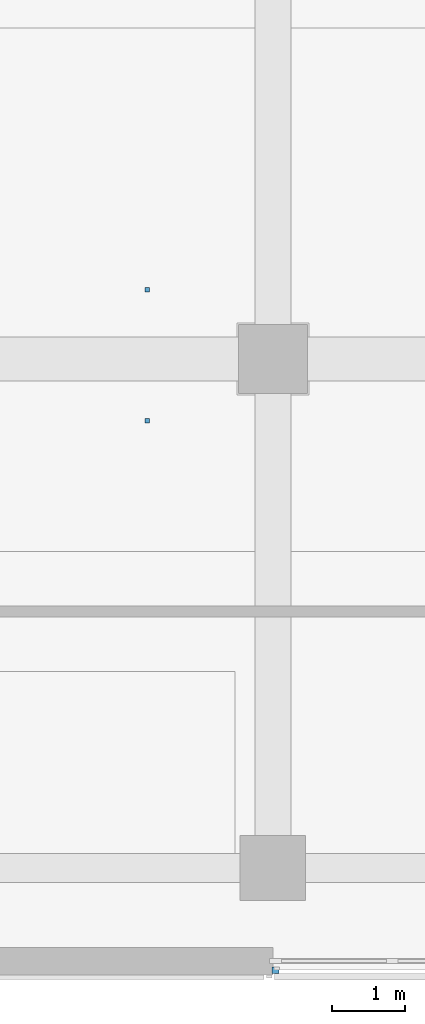
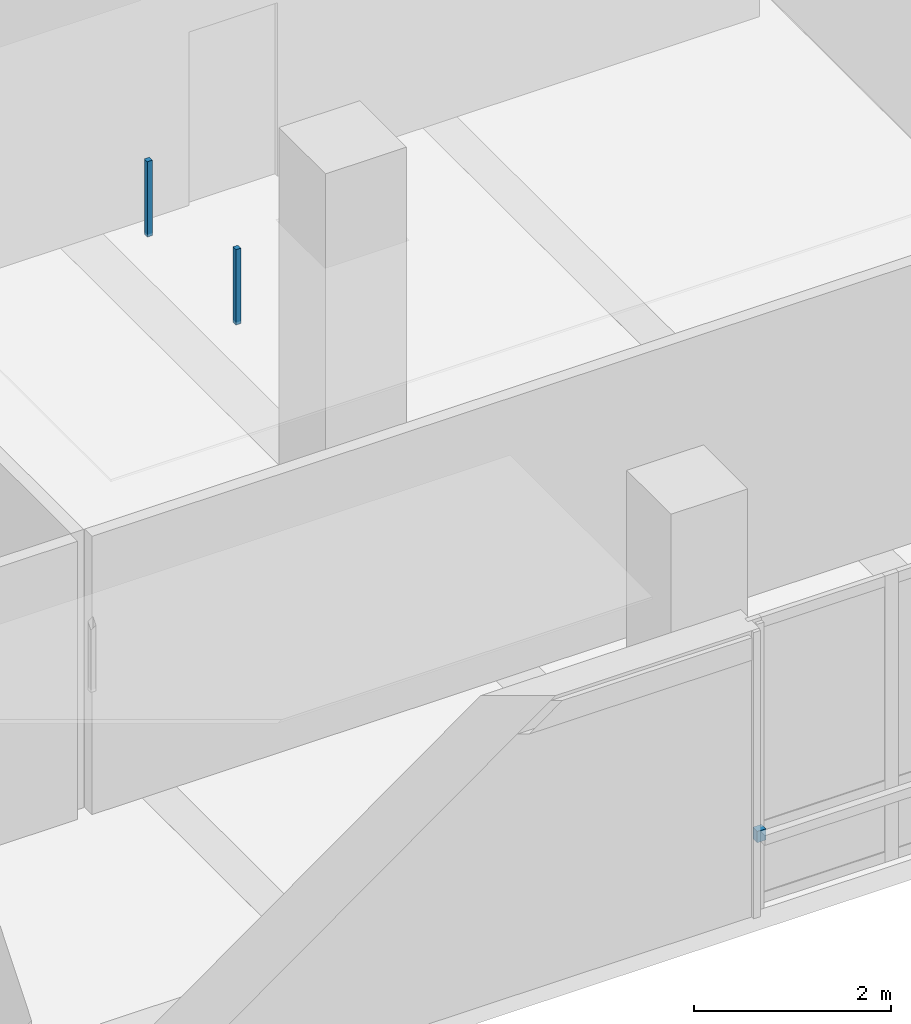
# One storey, part 31 of 59: 3 discrete accessories.
"""IFC4 building model written with IfcOpenShell, lengths in metres."""

from ifc_helpers import new_model, si_unit, direction, frame, origin, origin_2d, place, context, subcontext, project, spatial, rectangle, extrude, material, type_object, element, save


model = new_model("IFC4")

# Units and contexts
model_context = context("Model", 3, precision=1e-05, world=origin(), true_north=direction((0.0, 1.0)))
body_context = subcontext(model_context, "Body", "Model", "MODEL_VIEW")
ifc_project = project(units=[si_unit("LENGTHUNIT", "METRE"), si_unit("AREAUNIT", "SQUARE_METRE"), si_unit("VOLUMEUNIT", "CUBIC_METRE"), si_unit("PLANEANGLEUNIT", "RADIAN"), si_unit("MASSUNIT", "GRAM", prefix="KILO")], contexts=[model_context])

# Site, building, storey
site_placement = place(None, origin())
site = spatial("IfcSite", under=ifc_project, at=site_placement, CompositionType="ELEMENT")
building_placement = place(site_placement, origin())
building = spatial("IfcBuilding", under=site, at=building_placement, Name="Telukmera Botanical Conservatory", CompositionType="ELEMENT")
storey_placement = place(building_placement, frame((0.0, 0.0, 15.0)))
storey = spatial("IfcBuildingStorey", under=building, at=storey_placement, Name="L03", CompositionType="ELEMENT", Elevation=15.0)

# Discrete accessories
ifc_material = material(Name="Steel S355", Category="steel")
discrete_accessory_type_1 = type_object("IfcDiscreteAccessoryType", Name="ACC-CEIL-HGR", PredefinedType="BRACKET", material=ifc_material)
for number, where, z_axis, x_axis, name in (
    (1, (99.069091796875, 16.75, 3.320068359375), (0.0, 0.0, 1.0), (1.0, 0.0, 0.0), "L03 Suspended Ceiling Hanger Rod 037-1"),
    (2, (99.069091796875, 18.550048828125, 3.320068359375), (0.0, 0.0, 1.0), (1.0, 0.0, 0.0), "L03 Suspended Ceiling Hanger Rod 037-2"),
):
    element("IfcDiscreteAccessory", number, at=place(storey_placement, frame(where, z_axis=z_axis, x_axis=x_axis)), inside=storey, type_object=discrete_accessory_type_1, Name=name, PredefinedType="BRACKET", context=body_context, shape_type="SweptSolid", body=[
        extrude(rectangle(XDim=0.06005859375, YDim=0.06005859375, at=origin_2d()), origin(), (0.0, 0.0, 1.0), 0.93505859375),
    ])
discrete_accessory_type_2 = type_object("IfcDiscreteAccessoryType", Name="Structural Steel Facade Outrigger Fin Bracket", PredefinedType="BRACKET", material=ifc_material)
discrete_accessory_placement = place(storey_placement, frame((100.83447265625, 9.195068359375, 0.8798828125), z_axis=(0.0, 0.0, 1.0), x_axis=(1.0, 0.0, 0.0)))
element("IfcDiscreteAccessory", 3, at=discrete_accessory_placement, inside=storey, type_object=discrete_accessory_type_2, Name="Facade Outrigger Bracket V4:L03:S7 A", PredefinedType="BRACKET", context=body_context, shape_type="SweptSolid", body=[
    extrude(rectangle(XDim=0.10009765625, YDim=0.090087890625, at=origin_2d()), origin(), (0.0, 0.0, 1.0), 0.139892578125),
])

save(model, "model.ifc")
